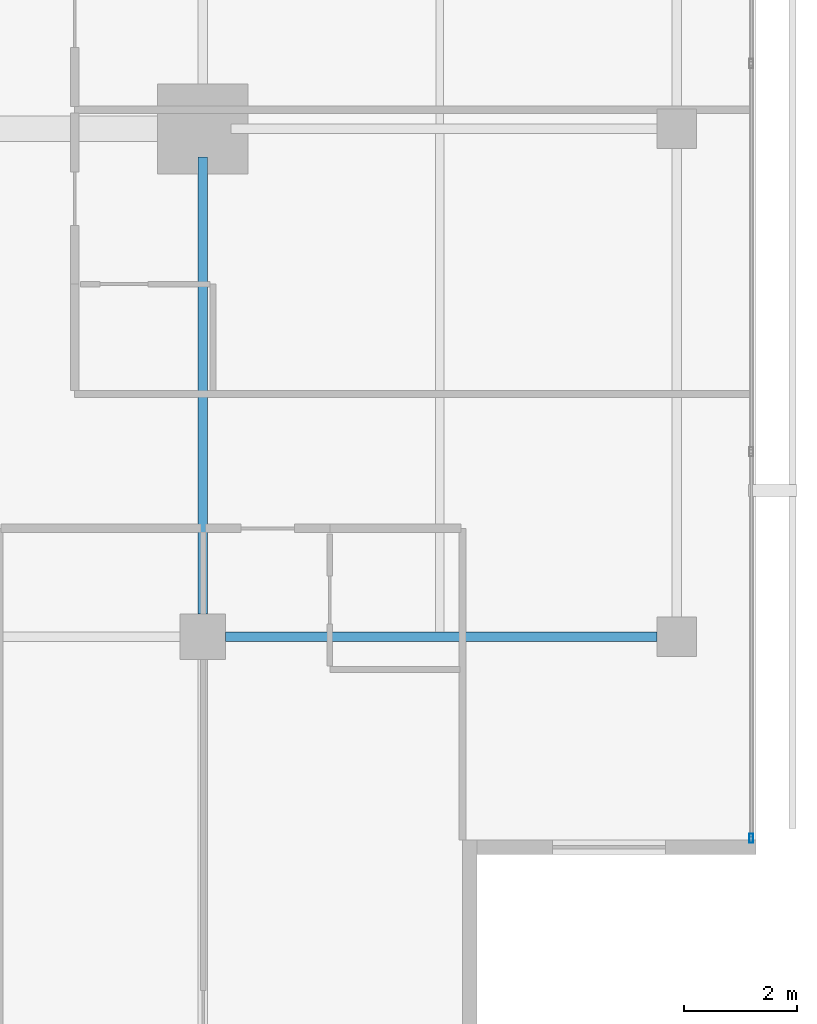
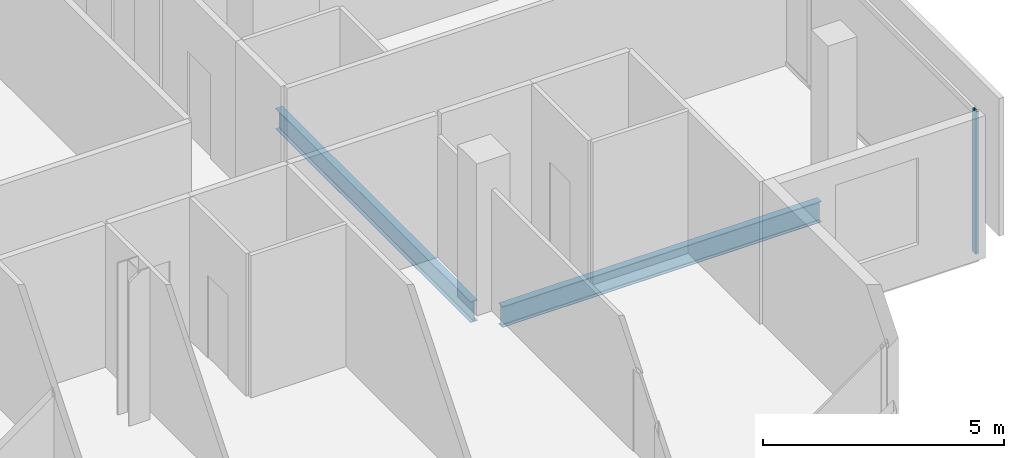
# One storey, part 11 of 26: 2 beams, 1 member, 1 element without a shape of its own.
"""IFC4 building model written with IfcOpenShell, lengths in metres."""

from ifc_helpers import new_model, si_unit, direction, frame, origin, origin_2d, place, context, subcontext, project, spatial, hollow_rectangle, i_section, extrude, material, layer, layer_set, material_profile, profile_set, type_object, element, aggregate, save


model = new_model("IFC4")

# Units and contexts
model_context = context("Model", 3, precision=1e-05, world=origin(), true_north=direction((0.0, 1.0)))
body_context = subcontext(model_context, "Body", "Model", "MODEL_VIEW")
ifc_project = project(units=[si_unit("LENGTHUNIT", "METRE"), si_unit("AREAUNIT", "SQUARE_METRE"), si_unit("VOLUMEUNIT", "CUBIC_METRE"), si_unit("PLANEANGLEUNIT", "RADIAN"), si_unit("MASSUNIT", "GRAM", prefix="KILO")], contexts=[model_context])

# Site, building, storey
site_placement = place(None, origin())
site = spatial("IfcSite", under=ifc_project, at=site_placement, CompositionType="ELEMENT")
building_placement = place(site_placement, origin())
building = spatial("IfcBuilding", under=site, at=building_placement, Name="Maruvema Waterfront Hotel and Observation Tower", CompositionType="ELEMENT")
storey_placement = place(building_placement, frame((0.0, 0.0, 285.60009765625)))
storey = spatial("IfcBuildingStorey", under=building, at=storey_placement, Name="L70", CompositionType="ELEMENT", Elevation=285.60009765625)

# Curtain wall, member
ifc_material_1 = material(Name="Anodised bronze aluminium and solar-control low-E IGU", Category="aluminium")
ifc_layer = layer(ifc_material_1, 0.159912109375, Name="Zone 3 Champagne Inner Thermal Curtain Wall System CW-04")
ifc_layer_set = layer_set([ifc_layer], Name="Anodised bronze aluminium and solar-control low-E IGU")
curtain_wall_type = type_object("IfcCurtainWallType", Name="Zone 3 Champagne Inner Thermal Curtain Wall System CW-04", PredefinedType="USERDEFINED", material=ifc_layer_set)
curtain_wall_placement = place(storey_placement, origin())
curtain_wall = element("IfcCurtainWall", 1, at=curtain_wall_placement, inside=storey, type_object=curtain_wall_type, Name="L70 Curtain Wall CW-L70-E", ObjectType="UNITISED CURTAIN WALL", PredefinedType="USERDEFINED")
ifc_material_2 = material(Name="Anodised architectural bronze aluminium", Category="aluminium")
ifc_material_profile_1 = material_profile(ifc_material_2, hollow_rectangle(XDim=0.06494140625, YDim=0.1650390625, WallThickness=0.00390625, at=origin_2d()), Name="ALU-M65x165")
ifc_profile_set_1 = profile_set([ifc_material_profile_1], Name="Anodised architectural bronze aluminium")
member_type = type_object("IfcMemberType", Name="Curtain Wall Primary Mullion ALU-M65x165", PredefinedType="MULLION", material=ifc_profile_set_1)
member_placement = place(storey_placement, frame((60.1201171875, 14.429931640625, 0.0), z_axis=(0.0, 0.0, 1.0), x_axis=(-1.0, 0.0, 0.0)))
member = element("IfcMember", 2, at=member_placement, type_object=member_type, Name="CW-04 mullion 1", PredefinedType="MULLION", context=body_context, shape_type="SweptSolid", body=[
    extrude(hollow_rectangle(XDim=0.06494140625, YDim=0.1650390625, WallThickness=0.00390625, at=origin_2d()), origin(), (0.0, 0.0, 1.0), 3.60986328125),
])
aggregate(curtain_wall, [member])

# Beams
ifc_material_3 = material(Name="Steel ASTM A572 Grade 50", Category="steel")
ifc_material_profile_2 = material_profile(ifc_material_3, i_section(OverallWidth=0.166015625, OverallDepth=0.529052734375, WebThickness=0.009765625, FlangeThickness=0.013671875, FilletRadius=0.014892578125, at=origin_2d()), Name="W530x74.0")
ifc_profile_set_2 = profile_set([ifc_material_profile_2], Name="Steel ASTM A572 Grade 50")
beam_type = type_object("IfcBeamType", Name="Primary Floor Girder W530x74.0", PredefinedType="BEAM", material=ifc_profile_set_2)
beam_1_placement = place(storey_placement, frame((50.800048828125, 18.0, -0.504638671875), z_axis=(1.0, 0.0, 0.0), x_axis=(0.0, 1.0, 0.0)))
element("IfcBeam", 3, at=beam_1_placement, inside=storey, type_object=beam_type, Name="L70 Floor Girder EW-08", PredefinedType="BEAM", context=body_context, shape_type="SweptSolid", body=[
    extrude(i_section(OverallWidth=0.166015625, OverallDepth=0.529052734375, WebThickness=0.009765625, FlangeThickness=0.013671875, FilletRadius=0.014892578125, at=origin_2d()), origin(), (0.0, 0.0, 1.0), 7.64990234375),
])
beam_2_placement = place(storey_placement, frame((50.39990234375, 18.39990234375, -0.504638671875), z_axis=(0.0, 1.0, 0.0), x_axis=(-1.0, 0.0, 0.0)))
element("IfcBeam", 4, at=beam_2_placement, inside=storey, type_object=beam_type, Name="L70 Floor Girder NS-13", PredefinedType="BEAM", context=body_context, shape_type="SweptSolid", body=[
    extrude(i_section(OverallWidth=0.166015625, OverallDepth=0.529052734375, WebThickness=0.009765625, FlangeThickness=0.013671875, FilletRadius=0.014892578125, at=origin_2d()), origin(), (0.0, 0.0, 1.0), 8.10009765625),
])

save(model, "model.ifc")
